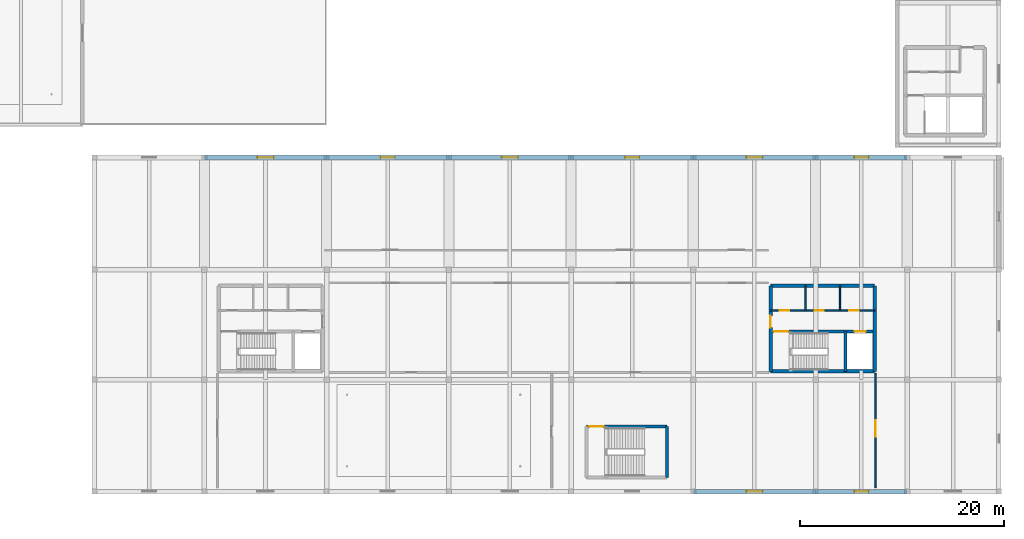
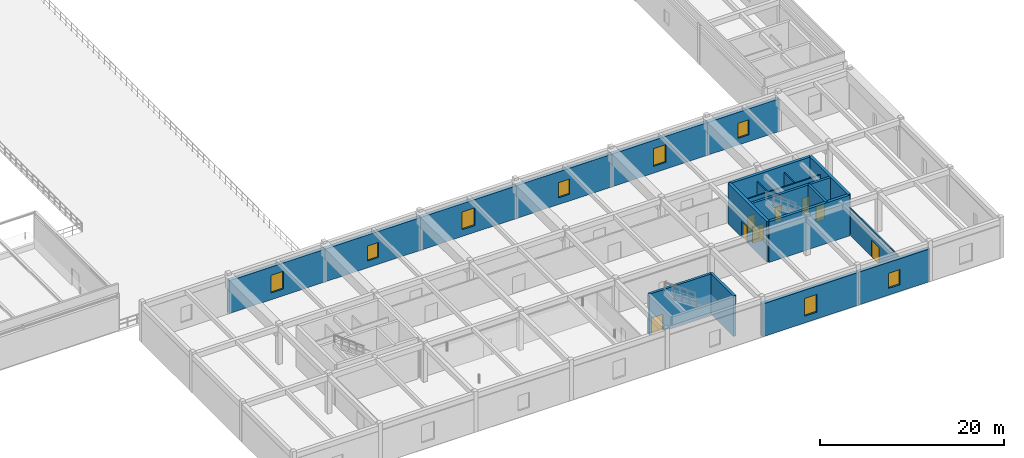
# One storey, part 83 of 97: 20 walls, 8 doors, 8 windows, 16 openings.
"""IFC4 building model written with IfcOpenShell, lengths in metres."""

from ifc_helpers import new_model, si_unit, derived_unit, direction, frame, frame_2d, origin, place, context, subcontext, project, spatial, rectangle, extrude, material, layer, layer_set, type_object, element, fill, save


model = new_model("IFC4")

# Units and contexts
model_context = context("Model", 3, precision=1e-05, world=origin(), true_north=direction((0.0, 1.0)))
body_context = subcontext(model_context, "Body", "Model", "MODEL_VIEW")
ifc_project = project(units=[si_unit("LENGTHUNIT", "METRE"), si_unit("AREAUNIT", "SQUARE_METRE"), si_unit("VOLUMEUNIT", "CUBIC_METRE"), si_unit("PLANEANGLEUNIT", "RADIAN"), si_unit("MASSUNIT", "GRAM", prefix="KILO"), derived_unit("THERMALTRANSMITTANCEUNIT", [(si_unit("POWERUNIT", "WATT"), 1), (si_unit("LENGTHUNIT", "METRE"), -2), (si_unit("THERMODYNAMICTEMPERATUREUNIT", "KELVIN"), -1)])], contexts=[model_context])

# Site, building, storey
site_placement = place(None, origin())
site = spatial("IfcSite", under=ifc_project, at=site_placement, CompositionType="ELEMENT")
building_placement = place(site_placement, origin())
building = spatial("IfcBuilding", under=site, at=building_placement, Name="Almenara Railside Exhibition Hall", CompositionType="ELEMENT")
storey_placement = place(building_placement, frame((0.0, 0.0, 10.800048828125)))
storey = spatial("IfcBuildingStorey", under=building, at=storey_placement, Name="L02", CompositionType="ELEMENT", Elevation=10.800048828125)

# Wall, opening, door
ifc_material_1 = material(Name="Double-stud acoustic gypsum partition")
ifc_layer_1 = layer(ifc_material_1, 0.159912109375, Name="Double-stud acoustic gypsum partition")
ifc_layer_set_1 = layer_set([ifc_layer_1], Name="Double-stud acoustic gypsum partition")
wall_type_1 = type_object("IfcWallType", Name="Acoustic Congress Partition 160mm", PredefinedType="PARTITIONING", material=ifc_layer_set_1)
wall_1_placement = place(storey_placement, frame((191.89990234375, 0.39990234375, 0.0), z_axis=(0.0, 0.0, 1.0), x_axis=(0.0, 1.0, 0.0)))
wall_1 = element("IfcWall", 1, at=wall_1_placement, inside=storey, type_object=wall_type_1, Name="Interior wall 0389", PredefinedType="PARTITIONING", context=body_context, shape_type="SweptSolid", body=[
    extrude(rectangle(XDim=11.2001953125, YDim=0.159912109375, at=frame_2d((5.60009765625, 0.0))), origin(), (0.0, 0.0, 1.0), 3.599853515625),
])
opening_1_placement = place(wall_1_placement, frame((5.0, 0.0, 0.0)))
opening_1 = element("IfcOpeningElement", 2, at=opening_1_placement, cuts=wall_1, Name="Opening ID-16", PredefinedType="OPENING", context=body_context, shape_type="SweptSolid", body=[
    extrude(rectangle(XDim=1.60009765625, YDim=2.199951171875, at=frame_2d((0.800048828125, 1.10009765625))), frame((0.0, 0.08984375, 0.0), z_axis=(0.0, -1.0, 0.0), x_axis=(1.0, 0.0, 0.0)), (0.0, 0.0, 1.0), 0.179931640625),
])
ifc_material_2 = material(Name="Iroko hardwood double door", Category="wood")
door_type_1 = type_object("IfcDoorType", Name="Meeting Suite Double Door 1600x2200", OperationType="NOTDEFINED", PredefinedType="DOOR", material=ifc_material_2)
door_1_placement = place(opening_1_placement, origin())
door_1 = element("IfcDoor", 3, at=door_1_placement, inside=storey, type_object=door_type_1, Name="Interior door ID-16-264", OperationType="DOUBLE_DOOR_SINGLE_SWING", OverallHeight=2.199951171875, OverallWidth=1.60009765625, PredefinedType="DOOR", context=body_context, shape_type="SweptSolid", body=[
    extrude(rectangle(XDim=1.60009765625, YDim=2.199951171875, at=frame_2d((0.800048828125, 1.10009765625))), frame((0.0, 0.02490234375, 0.0), z_axis=(0.0, -1.0, 0.0), x_axis=(1.0, 0.0, 0.0)), (0.0, 0.0, 1.0), 0.050048828125),
])
fill(opening_1, door_1)

# Walls
ifc_material_3 = material(Name="Concrete C35/45", Category="concrete")
ifc_layer_2 = layer(ifc_material_3, 0.35009765625, Name="Concrete C35/45")
ifc_layer_set_2 = layer_set([ifc_layer_2], Name="Concrete C35/45")
wall_type_2 = type_object("IfcWallType", Name="Core Coupled Shear Wall 350mm C35/45", PredefinedType="SHEAR", material=ifc_layer_set_2)
for number, where, z_axis, x_axis, name in (
    (4, (181.60009765625, 11.800048828125, 0.0), (0.0, 0.0, 1.0), (1.0, 0.0, 0.0), "Interior wall 0172"),
    (5, (191.800048828125, 20.199951171875, 0.0), (0.0, 0.0, 1.0), (-1.0, 0.0, 0.0), "Interior wall 0173"),
):
    element("IfcWall", number, at=place(storey_placement, frame(where, z_axis=z_axis, x_axis=x_axis)), inside=storey, type_object=wall_type_2, Name=name, PredefinedType="SHEAR", context=body_context, shape_type="SweptSolid", body=[
        extrude(rectangle(XDim=10.199951171875, YDim=0.35009765625, at=frame_2d((5.10009765625, 0.0))), origin(), (0.0, 0.0, 1.0), 5.39990234375),
    ])

# Wall, opening, door
wall_2_placement = place(storey_placement, frame((181.60009765625, 20.199951171875, 0.0), z_axis=(0.0, 0.0, 1.0), x_axis=(0.0, -1.0, 0.0)))
wall_2 = element("IfcWall", 6, at=wall_2_placement, inside=storey, type_object=wall_type_2, Name="Interior wall 0174", PredefinedType="SHEAR", context=body_context, shape_type="SweptSolid", body=[
    extrude(rectangle(XDim=8.39990234375, YDim=0.35009765625, at=frame_2d((4.199951171875, 0.0))), origin(), (0.0, 0.0, 1.0), 5.39990234375),
])
opening_2_placement = place(wall_2_placement, frame((2.949951171875, 0.0, 0.0)))
opening_2 = element("IfcOpeningElement", 7, at=opening_2_placement, cuts=wall_2, Name="Opening FD-115", PredefinedType="OPENING", context=body_context, shape_type="SweptSolid", body=[
    extrude(rectangle(XDim=1.14990234375, YDim=2.14990234375, at=frame_2d((0.574951171875, 1.074951171875))), frame((0.0, 0.18505859375, 0.0), z_axis=(0.0, -1.0, 0.0), x_axis=(1.0, 0.0, 0.0)), (0.0, 0.0, 1.0), 0.3701171875),
])
ifc_material_4 = material(Name="Fire-rated iroko timber door", Category="wood")
door_type_2 = type_object("IfcDoorType", Name="Core Lobby Fire Door 1150x2150 EI60", OperationType="NOTDEFINED", PredefinedType="DOOR", material=ifc_material_4)
door_2_placement = place(opening_2_placement, origin())
door_2 = element("IfcDoor", 8, at=door_2_placement, inside=storey, type_object=door_type_2, Name="Interior door FD-115-115", OperationType="SINGLE_SWING_LEFT", OverallHeight=2.14990234375, OverallWidth=1.14990234375, PredefinedType="DOOR", context=body_context, shape_type="SweptSolid", body=[
    extrude(rectangle(XDim=1.14990234375, YDim=2.14990234375, at=frame_2d((0.574951171875, 1.074951171875))), frame((0.0, 0.02490234375, 0.0), z_axis=(0.0, -1.0, 0.0), x_axis=(1.0, 0.0, 0.0)), (0.0, 0.0, 1.0), 0.050048828125),
])
fill(opening_2, door_2)

# Wall
wall_3_placement = place(storey_placement, frame((191.800048828125, 11.800048828125, 0.0), z_axis=(0.0, 0.0, 1.0), x_axis=(0.0, 1.0, 0.0)))
element("IfcWall", 9, at=wall_3_placement, inside=storey, type_object=wall_type_2, Name="Interior wall 0175", PredefinedType="SHEAR", context=body_context, shape_type="SweptSolid", body=[
    extrude(rectangle(XDim=8.39990234375, YDim=0.35009765625, at=frame_2d((4.199951171875, 0.0))), origin(), (0.0, 0.0, 1.0), 5.39990234375),
])

# Wall, opening, window
ifc_material_5 = material(Name="Ochre-white lime-rendered masonry over Concrete C35/45", Category="masonry")
ifc_layer_3 = layer(ifc_material_5, 0.449951171875, Name="Ochre-white lime-rendered masonry over Concrete C35/45")
ifc_layer_set_3 = layer_set([ifc_layer_3], Name="Ochre-white lime-rendered masonry over Concrete C35/45")
wall_type_3 = type_object("IfcWallType", Name="Exterior Civic Stucco Wall 450mm C35/45", PredefinedType="SOLIDWALL", material=ifc_layer_set_3)
wall_4_placement = place(storey_placement, frame((138.0, 32.800048828125, 0.0), z_axis=(0.0, 0.0, 1.0), x_axis=(-1.0, 0.0, 0.0)))
wall_4 = element("IfcWall", 10, at=wall_4_placement, inside=storey, type_object=wall_type_3, Name="Exterior wall 0247", PredefinedType="SOLIDWALL", context=body_context, shape_type="SweptSolid", body=[
    extrude(rectangle(XDim=12.0, YDim=0.449951171875, at=frame_2d((6.0, 0.0))), origin(), (0.0, 0.0, 1.0), 4.349853515625),
])
opening_3_placement = place(wall_4_placement, frame((5.199951171875, 0.0, 0.89990234375)))
opening_3 = element("IfcOpeningElement", 11, at=opening_3_placement, cuts=wall_4, Name="Opening W-07", PredefinedType="OPENING", context=body_context, shape_type="SweptSolid", body=[
    extrude(rectangle(XDim=1.60009765625, YDim=2.35009765625, at=frame_2d((0.800048828125, 1.175048828125))), frame((0.0, 0.23486328125, 0.0), z_axis=(0.0, -1.0, 0.0), x_axis=(1.0, 0.0, 0.0)), (0.0, 0.0, 1.0), 0.469970703125),
])
ifc_material_6 = material(Name="Bronze-anodised aluminium and low-E double glazing", Category="aluminium")
window_type_1 = type_object("IfcWindowType", Name="Belvedere Casement Window 1600x2350", PartitioningType="DOUBLE_PANEL_VERTICAL", PredefinedType="WINDOW", material=ifc_material_6)
window_1_placement = place(opening_3_placement, origin())
window_1 = element("IfcWindow", 12, at=window_1_placement, inside=storey, type_object=window_type_1, Name="Window 0096", OverallHeight=2.35009765625, OverallWidth=1.60009765625, PartitioningType="DOUBLE_PANEL_VERTICAL", PredefinedType="WINDOW", context=body_context, shape_type="SweptSolid", body=[
    extrude(rectangle(XDim=1.60009765625, YDim=2.35009765625, at=frame_2d((0.800048828125, 1.175048828125))), frame((0.0, 0.030029296875, 0.0), z_axis=(0.0, -1.0, 0.0), x_axis=(1.0, 0.0, 0.0)), (0.0, 0.0, 1.0), 0.06005859375),
])
fill(opening_3, window_1)

wall_5_placement = place(storey_placement, frame((150.0, 32.800048828125, 0.0), z_axis=(0.0, 0.0, 1.0), x_axis=(-1.0, 0.0, 0.0)))
wall_5 = element("IfcWall", 13, at=wall_5_placement, inside=storey, type_object=wall_type_3, Name="Exterior wall 0249", PredefinedType="SOLIDWALL", context=body_context, shape_type="SweptSolid", body=[
    extrude(rectangle(XDim=12.0, YDim=0.449951171875, at=frame_2d((6.0, 0.0))), origin(), (0.0, 0.0, 1.0), 4.349853515625),
])
opening_4_placement = place(wall_5_placement, frame((5.300048828125, 0.0, 0.89990234375)))
opening_4 = element("IfcOpeningElement", 14, at=opening_4_placement, cuts=wall_5, Name="Opening W-09", PredefinedType="OPENING", context=body_context, shape_type="SweptSolid", body=[
    extrude(rectangle(XDim=1.39990234375, YDim=2.0, at=frame_2d((0.699951171875, 1.0))), frame((0.0, 0.23486328125, 0.0), z_axis=(0.0, -1.0, 0.0), x_axis=(1.0, 0.0, 0.0)), (0.0, 0.0, 1.0), 0.469970703125),
])
window_type_2 = type_object("IfcWindowType", Name="Office Deep-Reveal Window 1400x2000", PartitioningType="DOUBLE_PANEL_VERTICAL", PredefinedType="WINDOW", material=ifc_material_6)
window_2_placement = place(opening_4_placement, origin())
window_2 = element("IfcWindow", 15, at=window_2_placement, inside=storey, type_object=window_type_2, Name="Window 0098", OverallHeight=2.0, OverallWidth=1.39990234375, PartitioningType="DOUBLE_PANEL_VERTICAL", PredefinedType="WINDOW", context=body_context, shape_type="SweptSolid", body=[
    extrude(rectangle(XDim=1.39990234375, YDim=2.0, at=frame_2d((0.699951171875, 1.0))), frame((0.0, 0.030029296875, 0.0), z_axis=(0.0, -1.0, 0.0), x_axis=(1.0, 0.0, 0.0)), (0.0, 0.0, 1.0), 0.06005859375),
])
fill(opening_4, window_2)

wall_6_placement = place(storey_placement, frame((162.0, 32.800048828125, 0.0), z_axis=(0.0, 0.0, 1.0), x_axis=(-1.0, 0.0, 0.0)))
wall_6 = element("IfcWall", 16, at=wall_6_placement, inside=storey, type_object=wall_type_3, Name="Exterior wall 0251", PredefinedType="SOLIDWALL", context=body_context, shape_type="SweptSolid", body=[
    extrude(rectangle(XDim=12.0, YDim=0.449951171875, at=frame_2d((6.0, 0.0))), origin(), (0.0, 0.0, 1.0), 4.349853515625),
])
opening_5_placement = place(wall_6_placement, frame((5.199951171875, 0.0, 0.89990234375)))
opening_5 = element("IfcOpeningElement", 17, at=opening_5_placement, cuts=wall_6, Name="Opening W-07", PredefinedType="OPENING", context=body_context, shape_type="SweptSolid", body=[
    extrude(rectangle(XDim=1.60009765625, YDim=2.35009765625, at=frame_2d((0.800048828125, 1.175048828125))), frame((0.0, 0.23486328125, 0.0), z_axis=(0.0, -1.0, 0.0), x_axis=(1.0, 0.0, 0.0)), (0.0, 0.0, 1.0), 0.469970703125),
])
window_3_placement = place(opening_5_placement, origin())
window_3 = element("IfcWindow", 18, at=window_3_placement, inside=storey, type_object=window_type_1, Name="Window 0100", OverallHeight=2.35009765625, OverallWidth=1.60009765625, PartitioningType="DOUBLE_PANEL_VERTICAL", PredefinedType="WINDOW", context=body_context, shape_type="SweptSolid", body=[
    extrude(rectangle(XDim=1.60009765625, YDim=2.35009765625, at=frame_2d((0.800048828125, 1.175048828125))), frame((0.0, 0.030029296875, 0.0), z_axis=(0.0, -1.0, 0.0), x_axis=(1.0, 0.0, 0.0)), (0.0, 0.0, 1.0), 0.06005859375),
])
fill(opening_5, window_3)

wall_7_placement = place(storey_placement, frame((174.0, 32.800048828125, 0.0), z_axis=(0.0, 0.0, 1.0), x_axis=(-1.0, 0.0, 0.0)))
wall_7 = element("IfcWall", 19, at=wall_7_placement, inside=storey, type_object=wall_type_3, Name="Exterior wall 0253", PredefinedType="SOLIDWALL", context=body_context, shape_type="SweptSolid", body=[
    extrude(rectangle(XDim=12.0, YDim=0.449951171875, at=frame_2d((6.0, 0.0))), origin(), (0.0, 0.0, 1.0), 4.349853515625),
])
opening_6_placement = place(wall_7_placement, frame((5.300048828125, 0.0, 0.89990234375)))
opening_6 = element("IfcOpeningElement", 20, at=opening_6_placement, cuts=wall_7, Name="Opening W-09", PredefinedType="OPENING", context=body_context, shape_type="SweptSolid", body=[
    extrude(rectangle(XDim=1.39990234375, YDim=2.0, at=frame_2d((0.699951171875, 1.0))), frame((0.0, 0.23486328125, 0.0), z_axis=(0.0, -1.0, 0.0), x_axis=(1.0, 0.0, 0.0)), (0.0, 0.0, 1.0), 0.469970703125),
])
window_4_placement = place(opening_6_placement, origin())
window_4 = element("IfcWindow", 21, at=window_4_placement, inside=storey, type_object=window_type_2, Name="Window 0102", OverallHeight=2.0, OverallWidth=1.39990234375, PartitioningType="DOUBLE_PANEL_VERTICAL", PredefinedType="WINDOW", context=body_context, shape_type="SweptSolid", body=[
    extrude(rectangle(XDim=1.39990234375, YDim=2.0, at=frame_2d((0.699951171875, 1.0))), frame((0.0, 0.030029296875, 0.0), z_axis=(0.0, -1.0, 0.0), x_axis=(1.0, 0.0, 0.0)), (0.0, 0.0, 1.0), 0.06005859375),
])
fill(opening_6, window_4)

wall_8_placement = place(storey_placement, frame((174.0, 0.0, 0.0), z_axis=(0.0, 0.0, 1.0), x_axis=(1.0, 0.0, 0.0)))
wall_8 = element("IfcWall", 22, at=wall_8_placement, inside=storey, type_object=wall_type_3, Name="Exterior wall 0254", PredefinedType="SOLIDWALL", context=body_context, shape_type="SweptSolid", body=[
    extrude(rectangle(XDim=12.0, YDim=0.449951171875, at=frame_2d((6.0, 0.0))), origin(), (0.0, 0.0, 1.0), 4.349853515625),
])
opening_7_placement = place(wall_8_placement, frame((5.199951171875, 0.0, 0.89990234375)))
opening_7 = element("IfcOpeningElement", 23, at=opening_7_placement, cuts=wall_8, Name="Opening W-07", PredefinedType="OPENING", context=body_context, shape_type="SweptSolid", body=[
    extrude(rectangle(XDim=1.60009765625, YDim=2.35009765625, at=frame_2d((0.800048828125, 1.175048828125))), frame((0.0, 0.23486328125, 0.0), z_axis=(0.0, -1.0, 0.0), x_axis=(1.0, 0.0, 0.0)), (0.0, 0.0, 1.0), 0.469970703125),
])
window_5_placement = place(opening_7_placement, origin())
window_5 = element("IfcWindow", 24, at=window_5_placement, inside=storey, type_object=window_type_1, Name="Window 0103", OverallHeight=2.35009765625, OverallWidth=1.60009765625, PartitioningType="DOUBLE_PANEL_VERTICAL", PredefinedType="WINDOW", context=body_context, shape_type="SweptSolid", body=[
    extrude(rectangle(XDim=1.60009765625, YDim=2.35009765625, at=frame_2d((0.800048828125, 1.175048828125))), frame((0.0, 0.030029296875, 0.0), z_axis=(0.0, -1.0, 0.0), x_axis=(1.0, 0.0, 0.0)), (0.0, 0.0, 1.0), 0.06005859375),
])
fill(opening_7, window_5)

wall_9_placement = place(storey_placement, frame((186.0, 32.800048828125, 0.0), z_axis=(0.0, 0.0, 1.0), x_axis=(-1.0, 0.0, 0.0)))
wall_9 = element("IfcWall", 25, at=wall_9_placement, inside=storey, type_object=wall_type_3, Name="Exterior wall 0255", PredefinedType="SOLIDWALL", context=body_context, shape_type="SweptSolid", body=[
    extrude(rectangle(XDim=12.0, YDim=0.449951171875, at=frame_2d((6.0, 0.0))), origin(), (0.0, 0.0, 1.0), 4.349853515625),
])
opening_8_placement = place(wall_9_placement, frame((5.199951171875, 0.0, 0.89990234375)))
opening_8 = element("IfcOpeningElement", 26, at=opening_8_placement, cuts=wall_9, Name="Opening W-07", PredefinedType="OPENING", context=body_context, shape_type="SweptSolid", body=[
    extrude(rectangle(XDim=1.60009765625, YDim=2.35009765625, at=frame_2d((0.800048828125, 1.175048828125))), frame((0.0, 0.23486328125, 0.0), z_axis=(0.0, -1.0, 0.0), x_axis=(1.0, 0.0, 0.0)), (0.0, 0.0, 1.0), 0.469970703125),
])
window_6_placement = place(opening_8_placement, origin())
window_6 = element("IfcWindow", 27, at=window_6_placement, inside=storey, type_object=window_type_1, Name="Window 0104", OverallHeight=2.35009765625, OverallWidth=1.60009765625, PartitioningType="DOUBLE_PANEL_VERTICAL", PredefinedType="WINDOW", context=body_context, shape_type="SweptSolid", body=[
    extrude(rectangle(XDim=1.60009765625, YDim=2.35009765625, at=frame_2d((0.800048828125, 1.175048828125))), frame((0.0, 0.030029296875, 0.0), z_axis=(0.0, -1.0, 0.0), x_axis=(1.0, 0.0, 0.0)), (0.0, 0.0, 1.0), 0.06005859375),
])
fill(opening_8, window_6)

wall_10_placement = place(storey_placement, frame((186.0, 0.0, 0.0), z_axis=(0.0, 0.0, 1.0), x_axis=(1.0, 0.0, 0.0)))
wall_10 = element("IfcWall", 28, at=wall_10_placement, inside=storey, type_object=wall_type_3, Name="Exterior wall 0256", PredefinedType="SOLIDWALL", context=body_context, shape_type="SweptSolid", body=[
    extrude(rectangle(XDim=9.0, YDim=0.449951171875, at=frame_2d((4.5, 0.0))), origin(), (0.0, 0.0, 1.0), 4.349853515625),
])
opening_9_placement = place(wall_10_placement, frame((3.800048828125, 0.0, 0.89990234375)))
opening_9 = element("IfcOpeningElement", 29, at=opening_9_placement, cuts=wall_10, Name="Opening W-09", PredefinedType="OPENING", context=body_context, shape_type="SweptSolid", body=[
    extrude(rectangle(XDim=1.39990234375, YDim=2.0, at=frame_2d((0.699951171875, 1.0))), frame((0.0, 0.23486328125, 0.0), z_axis=(0.0, -1.0, 0.0), x_axis=(1.0, 0.0, 0.0)), (0.0, 0.0, 1.0), 0.469970703125),
])
window_7_placement = place(opening_9_placement, origin())
window_7 = element("IfcWindow", 30, at=window_7_placement, inside=storey, type_object=window_type_2, Name="Window 0105", OverallHeight=2.0, OverallWidth=1.39990234375, PartitioningType="DOUBLE_PANEL_VERTICAL", PredefinedType="WINDOW", context=body_context, shape_type="SweptSolid", body=[
    extrude(rectangle(XDim=1.39990234375, YDim=2.0, at=frame_2d((0.699951171875, 1.0))), frame((0.0, 0.030029296875, 0.0), z_axis=(0.0, -1.0, 0.0), x_axis=(1.0, 0.0, 0.0)), (0.0, 0.0, 1.0), 0.06005859375),
])
fill(opening_9, window_7)

wall_11_placement = place(storey_placement, frame((195.0, 32.800048828125, 0.0), z_axis=(0.0, 0.0, 1.0), x_axis=(-1.0, 0.0, 0.0)))
wall_11 = element("IfcWall", 31, at=wall_11_placement, inside=storey, type_object=wall_type_3, Name="Exterior wall 0257", PredefinedType="SOLIDWALL", context=body_context, shape_type="SweptSolid", body=[
    extrude(rectangle(XDim=9.0, YDim=0.449951171875, at=frame_2d((4.5, 0.0))), origin(), (0.0, 0.0, 1.0), 4.349853515625),
])
opening_10_placement = place(wall_11_placement, frame((3.800048828125, 0.0, 0.89990234375)))
opening_10 = element("IfcOpeningElement", 32, at=opening_10_placement, cuts=wall_11, Name="Opening W-09", PredefinedType="OPENING", context=body_context, shape_type="SweptSolid", body=[
    extrude(rectangle(XDim=1.39990234375, YDim=2.0, at=frame_2d((0.699951171875, 1.0))), frame((0.0, 0.23486328125, 0.0), z_axis=(0.0, -1.0, 0.0), x_axis=(1.0, 0.0, 0.0)), (0.0, 0.0, 1.0), 0.469970703125),
])
window_8_placement = place(opening_10_placement, origin())
window_8 = element("IfcWindow", 33, at=window_8_placement, inside=storey, type_object=window_type_2, Name="Window 0106", OverallHeight=2.0, OverallWidth=1.39990234375, PartitioningType="DOUBLE_PANEL_VERTICAL", PredefinedType="WINDOW", context=body_context, shape_type="SweptSolid", body=[
    extrude(rectangle(XDim=1.39990234375, YDim=2.0, at=frame_2d((0.699951171875, 1.0))), frame((0.0, 0.030029296875, 0.0), z_axis=(0.0, -1.0, 0.0), x_axis=(1.0, 0.0, 0.0)), (0.0, 0.0, 1.0), 0.06005859375),
])
fill(opening_10, window_8)

# Wall, openings, doors
ifc_material_7 = material(Name="Moisture-resistant tiled masonry partition", Category="masonry")
ifc_layer_4 = layer(ifc_material_7, 0.139892578125, Name="Moisture-resistant tiled masonry partition")
ifc_layer_set_4 = layer_set([ifc_layer_4], Name="Moisture-resistant tiled masonry partition")
wall_type_4 = type_object("IfcWallType", Name="Sanitary Wet-Wall Partition 140mm", PredefinedType="PARTITIONING", material=ifc_layer_set_4)
wall_12_placement = place(storey_placement, frame((181.60009765625, 17.800048828125, 0.0), z_axis=(0.0, 0.0, 1.0), x_axis=(1.0, 0.0, 0.0)))
wall_12 = element("IfcWall", 34, at=wall_12_placement, inside=storey, type_object=wall_type_4, Name="Interior wall 0178", PredefinedType="PARTITIONING", context=body_context, shape_type="SweptSolid", body=[
    extrude(rectangle(XDim=10.199951171875, YDim=0.139892578125, at=frame_2d((5.10009765625, 0.0))), origin(), (0.0, 0.0, 1.0), 4.43505859375),
])
opening_11_placement = place(wall_12_placement, frame((0.89990234375, 0.0, 0.0)))
opening_11 = element("IfcOpeningElement", 35, at=opening_11_placement, cuts=wall_12, Name="Opening ID-09", PredefinedType="OPENING", context=body_context, shape_type="SweptSolid", body=[
    extrude(rectangle(XDim=0.89990234375, YDim=2.10009765625, at=frame_2d((0.449951171875, 1.050048828125))), frame((0.0, 0.079833984375, 0.0), z_axis=(0.0, -1.0, 0.0), x_axis=(1.0, 0.0, 0.0)), (0.0, 0.0, 1.0), 0.159912109375),
])
opening_12_placement = place(wall_12_placement, frame((4.300048828125, 0.0, 0.0)))
opening_12 = element("IfcOpeningElement", 36, at=opening_12_placement, cuts=wall_12, Name="Opening ID-09", PredefinedType="OPENING", context=body_context, shape_type="SweptSolid", body=[
    extrude(rectangle(XDim=0.89990234375, YDim=2.10009765625, at=frame_2d((0.449951171875, 1.050048828125))), frame((0.0, 0.079833984375, 0.0), z_axis=(0.0, -1.0, 0.0), x_axis=(1.0, 0.0, 0.0)), (0.0, 0.0, 1.0), 0.159912109375),
])
opening_13_placement = place(wall_12_placement, frame((7.699951171875, 0.0, 0.0)))
opening_13 = element("IfcOpeningElement", 37, at=opening_13_placement, cuts=wall_12, Name="Opening ID-095", PredefinedType="OPENING", context=body_context, shape_type="SweptSolid", body=[
    extrude(rectangle(XDim=0.949951171875, YDim=2.10009765625, at=frame_2d((0.47509765625, 1.050048828125))), frame((0.0, 0.079833984375, 0.0), z_axis=(0.0, -1.0, 0.0), x_axis=(1.0, 0.0, 0.0)), (0.0, 0.0, 1.0), 0.159912109375),
])
ifc_material_8 = material(Name="Moisture-resistant hardwood door", Category="wood")
door_type_3 = type_object("IfcDoorType", Name="Accessible Toilet Door 950x2100", OperationType="NOTDEFINED", PredefinedType="DOOR", material=ifc_material_8)
door_3_placement = place(opening_13_placement, origin())
door_3 = element("IfcDoor", 38, at=door_3_placement, inside=storey, type_object=door_type_3, Name="Interior door ID-095-120", OperationType="SINGLE_SWING_RIGHT", OverallHeight=2.10009765625, OverallWidth=0.949951171875, PredefinedType="DOOR", context=body_context, shape_type="SweptSolid", body=[
    extrude(rectangle(XDim=0.949951171875, YDim=2.10009765625, at=frame_2d((0.47509765625, 1.050048828125))), frame((0.0, 0.02490234375, 0.0), z_axis=(0.0, -1.0, 0.0), x_axis=(1.0, 0.0, 0.0)), (0.0, 0.0, 1.0), 0.050048828125),
])
fill(opening_13, door_3)
door_type_4 = type_object("IfcDoorType", Name="Sanitary Lobby Single Door 900x2100", OperationType="NOTDEFINED", PredefinedType="DOOR", material=ifc_material_8)
door_4_placement = place(opening_11_placement, origin())
door_4 = element("IfcDoor", 39, at=door_4_placement, inside=storey, type_object=door_type_4, Name="Interior door ID-09-118", OperationType="SINGLE_SWING_RIGHT", OverallHeight=2.10009765625, OverallWidth=0.89990234375, PredefinedType="DOOR", context=body_context, shape_type="SweptSolid", body=[
    extrude(rectangle(XDim=0.89990234375, YDim=2.10009765625, at=frame_2d((0.449951171875, 1.050048828125))), frame((0.0, 0.02490234375, 0.0), z_axis=(0.0, -1.0, 0.0), x_axis=(1.0, 0.0, 0.0)), (0.0, 0.0, 1.0), 0.050048828125),
])
fill(opening_11, door_4)
door_5_placement = place(opening_12_placement, origin())
door_5 = element("IfcDoor", 40, at=door_5_placement, inside=storey, type_object=door_type_4, Name="Interior door ID-09-119", OperationType="SINGLE_SWING_LEFT", OverallHeight=2.10009765625, OverallWidth=0.89990234375, PredefinedType="DOOR", context=body_context, shape_type="SweptSolid", body=[
    extrude(rectangle(XDim=0.89990234375, YDim=2.10009765625, at=frame_2d((0.449951171875, 1.050048828125))), frame((0.0, 0.02490234375, 0.0), z_axis=(0.0, -1.0, 0.0), x_axis=(1.0, 0.0, 0.0)), (0.0, 0.0, 1.0), 0.050048828125),
])
fill(opening_12, door_5)

# Walls
for number, where, z_axis, x_axis, name in (
    (41, (185.0, 17.800048828125, 0.0), (0.0, 0.0, 1.0), (0.0, 1.0, 0.0), "Interior wall 0179"),
    (42, (188.39990234375, 17.800048828125, 0.0), (0.0, 0.0, 1.0), (0.0, 1.0, 0.0), "Interior wall 0180"),
):
    element("IfcWall", number, at=place(storey_placement, frame(where, z_axis=z_axis, x_axis=x_axis)), inside=storey, type_object=wall_type_4, Name=name, PredefinedType="PARTITIONING", context=body_context, shape_type="SweptSolid", body=[
        extrude(rectangle(XDim=2.39990234375, YDim=0.139892578125, at=frame_2d((1.199951171875, 0.0))), origin(), (0.0, 0.0, 1.0), 4.5),
    ])

# Wall, openings, doors
ifc_layer_5 = layer(ifc_material_3, 0.300048828125, Name="Concrete C35/45")
ifc_layer_set_5 = layer_set([ifc_layer_5], Name="Concrete C35/45")
wall_type_5 = type_object("IfcWallType", Name="Stair and Lift Shaft Wall 300mm C35/45", PredefinedType="SHEAR", material=ifc_layer_set_5)
wall_13_placement = place(storey_placement, frame((181.60009765625, 15.699951171875, 0.0), z_axis=(0.0, 0.0, 1.0), x_axis=(1.0, 0.0, 0.0)))
wall_13 = element("IfcWall", 43, at=wall_13_placement, inside=storey, type_object=wall_type_5, Name="Interior wall 0176", PredefinedType="SHEAR", context=body_context, shape_type="SweptSolid", body=[
    extrude(rectangle(XDim=10.199951171875, YDim=0.300048828125, at=frame_2d((5.10009765625, 0.0))), origin(), (0.0, 0.0, 1.0), 5.39990234375),
])
opening_14_placement = place(wall_13_placement, frame((0.280029296875, 0.0, 0.0)))
opening_14 = element("IfcOpeningElement", 44, at=opening_14_placement, cuts=wall_13, Name="Opening FD-145", PredefinedType="OPENING", context=body_context, shape_type="SweptSolid", body=[
    extrude(rectangle(XDim=1.449951171875, YDim=2.14990234375, at=frame_2d((0.72509765625, 1.074951171875))), frame((0.0, 0.159912109375, 0.0), z_axis=(0.0, -1.0, 0.0), x_axis=(1.0, 0.0, 0.0)), (0.0, 0.0, 1.0), 0.320068359375),
])
opening_15_placement = place(wall_13_placement, frame((8.22509765625, 0.0, 0.0)))
opening_15 = element("IfcOpeningElement", 45, at=opening_15_placement, cuts=wall_13, Name="Opening LD-11-C6", PredefinedType="OPENING", context=body_context, shape_type="SweptSolid", body=[
    extrude(rectangle(XDim=1.10009765625, YDim=2.14990234375, at=frame_2d((0.550048828125, 1.074951171875))), frame((0.0, 0.159912109375, 0.0), z_axis=(0.0, -1.0, 0.0), x_axis=(1.0, 0.0, 0.0)), (0.0, 0.0, 1.0), 0.320068359375),
])
ifc_material_9 = material(Name="Steel-framed fire-rated timber door", Category="steel")
door_type_5 = type_object("IfcDoorType", Name="Fire Escape Stair Door 1450x2150 EI60", OperationType="NOTDEFINED", PredefinedType="DOOR", material=ifc_material_9)
door_6_placement = place(opening_14_placement, origin())
door_6 = element("IfcDoor", 46, at=door_6_placement, inside=storey, type_object=door_type_5, Name="Interior door FD-145-116", OperationType="DOUBLE_DOOR_SINGLE_SWING", OverallHeight=2.14990234375, OverallWidth=1.449951171875, PredefinedType="DOOR", context=body_context, shape_type="SweptSolid", body=[
    extrude(rectangle(XDim=1.449951171875, YDim=2.14990234375, at=frame_2d((0.72509765625, 1.074951171875))), frame((0.0, 0.02490234375, 0.0), z_axis=(0.0, -1.0, 0.0), x_axis=(1.0, 0.0, 0.0)), (0.0, 0.0, 1.0), 0.050048828125),
])
fill(opening_14, door_6)
ifc_material_10 = material(Name="Brushed bronze-stainless steel sliding landing door", Category="steel")
door_type_6 = type_object("IfcDoorType", Name="Passenger Lift Sliding Landing Door 1100x2150", OperationType="DOUBLE_DOOR_SLIDING", PredefinedType="DOOR", material=ifc_material_10)
door_7_placement = place(opening_15_placement, origin())
door_7 = element("IfcDoor", 47, at=door_7_placement, inside=storey, type_object=door_type_6, Name="Interior door LD-11-C6-117", OperationType="DOUBLE_DOOR_SLIDING", OverallHeight=2.14990234375, OverallWidth=1.10009765625, PredefinedType="DOOR", context=body_context, shape_type="SweptSolid", body=[
    extrude(rectangle(XDim=1.10009765625, YDim=2.14990234375, at=frame_2d((0.550048828125, 1.074951171875))), frame((0.0, 0.02490234375, 0.0), z_axis=(0.0, -1.0, 0.0), x_axis=(1.0, 0.0, 0.0)), (0.0, 0.0, 1.0), 0.050048828125),
])
fill(opening_15, door_7)

# Wall
wall_14_placement = place(storey_placement, frame((188.949951171875, 11.800048828125, 0.0), z_axis=(0.0, 0.0, 1.0), x_axis=(0.0, 1.0, 0.0)))
element("IfcWall", 48, at=wall_14_placement, inside=storey, type_object=wall_type_5, Name="Interior wall 0177", PredefinedType="SHEAR", context=body_context, shape_type="SweptSolid", body=[
    extrude(rectangle(XDim=3.89990234375, YDim=0.300048828125, at=frame_2d((1.949951171875, 0.0))), origin(), (0.0, 0.0, 1.0), 5.39990234375),
])

# Wall, opening, door
wall_15_placement = place(storey_placement, frame((171.39990234375, 6.39990234375, 0.0), z_axis=(0.0, 0.0, 1.0), x_axis=(-1.0, 0.0, 0.0)))
wall_15 = element("IfcWall", 49, at=wall_15_placement, inside=storey, type_object=wall_type_5, Name="Interior wall 0325", PredefinedType="SHEAR", context=body_context, shape_type="SweptSolid", body=[
    extrude(rectangle(XDim=7.89990234375, YDim=0.300048828125, at=frame_2d((3.949951171875, 0.0))), origin(), (0.0, 0.0, 1.0), 5.39990234375),
])
opening_16_placement = place(wall_15_placement, frame((6.199951171875, 0.0, 0.0)))
opening_16 = element("IfcOpeningElement", 50, at=opening_16_placement, cuts=wall_15, Name="Opening FD-145", PredefinedType="OPENING", context=body_context, shape_type="SweptSolid", body=[
    extrude(rectangle(XDim=1.449951171875, YDim=2.14990234375, at=frame_2d((0.72509765625, 1.074951171875))), frame((0.0, 0.159912109375, 0.0), z_axis=(0.0, -1.0, 0.0), x_axis=(1.0, 0.0, 0.0)), (0.0, 0.0, 1.0), 0.320068359375),
])
door_8_placement = place(opening_16_placement, origin())
door_8 = element("IfcDoor", 51, at=door_8_placement, inside=storey, type_object=door_type_5, Name="Interior door FD-145-196", OperationType="DOUBLE_DOOR_SINGLE_SWING", OverallHeight=2.14990234375, OverallWidth=1.449951171875, PredefinedType="DOOR", context=body_context, shape_type="SweptSolid", body=[
    extrude(rectangle(XDim=1.449951171875, YDim=2.14990234375, at=frame_2d((0.72509765625, 1.074951171875))), frame((0.0, 0.02490234375, 0.0), z_axis=(0.0, -1.0, 0.0), x_axis=(1.0, 0.0, 0.0)), (0.0, 0.0, 1.0), 0.050048828125),
])
fill(opening_16, door_8)

# Wall
wall_16_placement = place(storey_placement, frame((171.39990234375, 1.39990234375, 0.0), z_axis=(0.0, 0.0, 1.0), x_axis=(0.0, 1.0, 0.0)))
element("IfcWall", 52, at=wall_16_placement, inside=storey, type_object=wall_type_5, Name="Interior wall 0327", PredefinedType="SHEAR", context=body_context, shape_type="SweptSolid", body=[
    extrude(rectangle(XDim=5.0, YDim=0.300048828125, at=frame_2d((2.5, 0.0))), origin(), (0.0, 0.0, 1.0), 5.39990234375),
])

save(model, "model.ifc")
